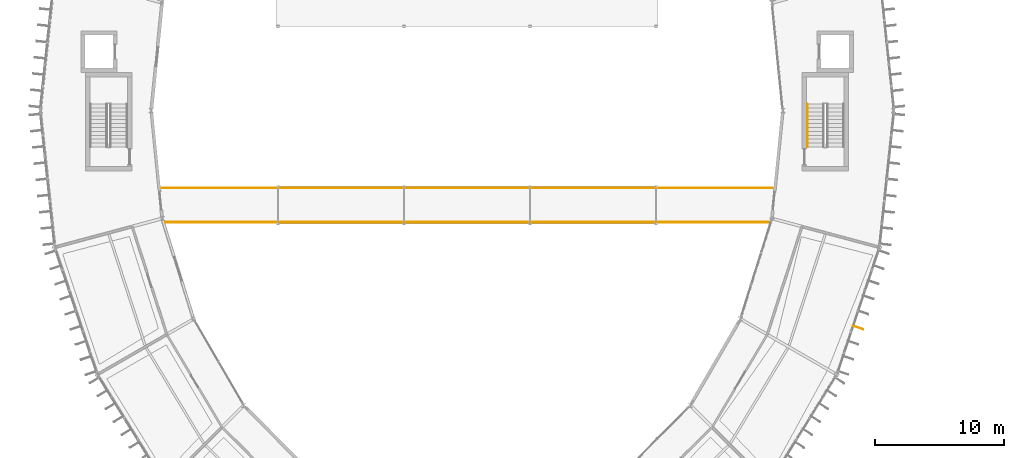
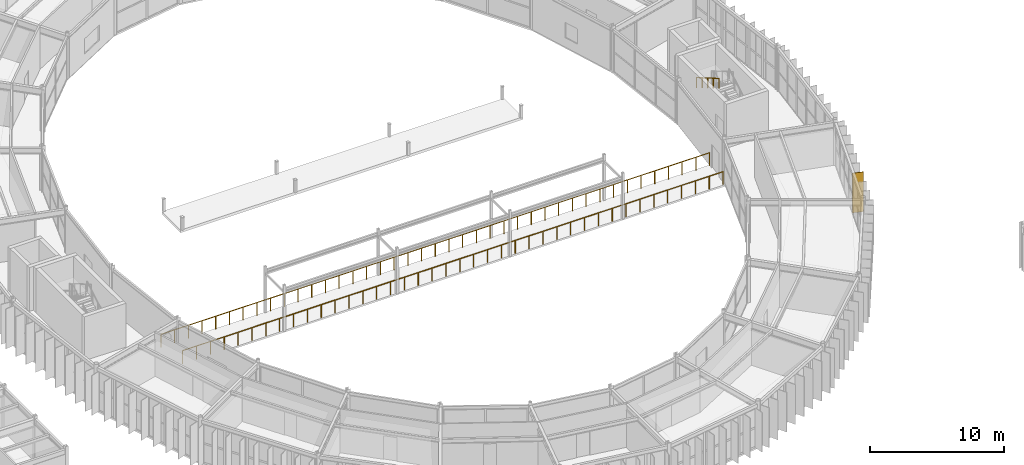
# One storey, part 139 of 147: 3 railings, 1 shading device.
"""IFC4 building model written with IfcOpenShell, lengths in metres."""

import ifcopenshell
import ifcopenshell.guid

model = None  # the IFC model being written
_history = None  # IfcOwnerHistory: only IFC2X3 demands one
_inside = {}  # id of a spatial element -> (the spatial element, [elements in it])
_under = {}  # id of a project, library or spatial element -> (it, [spatial elements below it])
_declared = {}  # id of a project -> (the project, [libraries it declares])
_typed = {}  # id of a type object -> (the type object, [elements of that type])
_made_of = {}  # id of a material, layer set ... -> (it, [elements and type objects made of it])


def new_model(schema):
    """Start an empty IFC model of exactly this schema.

    Asked for "IFC4X3", IfcOpenShell would pick the latest addendum, in which some entities
    have other attributes; the version numbers below select the first issue.
    IFC2X3 requires an IfcOwnerHistory on every rooted entity: one is made here for all.
    """
    global model, _history
    if schema == "IFC4X3":
        model = ifcopenshell.file(schema_version=(4, 3, 0, 0))
    else:
        model = ifcopenshell.file(schema=schema)
    _inside.clear()
    _under.clear()
    _declared.clear()
    _typed.clear()
    _made_of.clear()
    _history = None
    if model.schema == "IFC2X3":
        org = make("IfcOrganization", Name="unknown")
        user = make(
            "IfcPersonAndOrganization",
            ThePerson=make("IfcPerson", FamilyName="unknown"),
            TheOrganization=org,
        )
        app = make(
            "IfcApplication",
            ApplicationDeveloper=org,
            Version="unknown",
            ApplicationFullName="unknown",
            ApplicationIdentifier="unknown",
        )
        _history = make(
            "IfcOwnerHistory",
            OwningUser=user,
            OwningApplication=app,
            ChangeAction="ADDED",
            CreationDate=0,
        )
    return model


def make(cls, **values):
    """One entity of the class cls with the attributes given. An attribute that is None is left unset."""
    return model.create_entity(
        cls, **{name: value for name, value in values.items() if value is not None}
    )


def rooted(cls, **values):
    """An entity with a GlobalId (a new one), such as an element, a storey or a relation."""
    return make(cls, GlobalId=ifcopenshell.guid.new(), OwnerHistory=_history, **values)


def si_unit(unit_type, name, prefix=None):
    """IfcSIUnit, for example si_unit("LENGTHUNIT", "METRE", prefix="MILLI")."""
    return make("IfcSIUnit", UnitType=unit_type, Prefix=prefix, Name=name)


def assignment(units):
    """IfcUnitAssignment: the units of a project."""
    return None if units is None else make("IfcUnitAssignment", Units=units)


def point(xyz):
    """IfcCartesianPoint."""
    return None if xyz is None else make("IfcCartesianPoint", Coordinates=xyz)


def direction(xyz):
    """IfcDirection."""
    return None if xyz is None else make("IfcDirection", DirectionRatios=xyz)


def frame(location, z_axis=None, x_axis=None):
    """IfcAxis2Placement3D, a coordinate frame: its origin and axes. An axis left out is left unset."""
    return make(
        "IfcAxis2Placement3D",
        Location=point(location),
        Axis=direction(z_axis),
        RefDirection=direction(x_axis),
    )


def frame_2d(location, x_axis=None):
    """IfcAxis2Placement2D, a coordinate frame in the plane: its origin and x axis."""
    return make(
        "IfcAxis2Placement2D", Location=point(location), RefDirection=direction(x_axis)
    )


def origin():
    """The frame at (0, 0, 0) with its axes left unset."""
    return frame((0.0, 0.0, 0.0))


def origin_2d():
    """The frame at (0, 0) in the plane with its x axis left unset."""
    return frame_2d((0.0, 0.0))


def place(relative_to, where):
    """IfcLocalPlacement: puts the frame where relative to a parent placement (None: the world)."""
    return make(
        "IfcLocalPlacement", PlacementRelTo=relative_to, RelativePlacement=where
    )


def context(
    kind, dimensions, precision=None, world=None, true_north=None, identifier=None
):
    """IfcGeometricRepresentationContext, for example the 3D "Model" context."""
    return make(
        "IfcGeometricRepresentationContext",
        ContextIdentifier=identifier,
        ContextType=kind,
        CoordinateSpaceDimension=dimensions,
        Precision=precision,
        WorldCoordinateSystem=world,
        TrueNorth=true_north,
    )


def subcontext(parent, identifier, kind, view, scale=None):
    """IfcGeometricRepresentationSubContext, for example "Body" below "Model"."""
    return make(
        "IfcGeometricRepresentationSubContext",
        ContextIdentifier=identifier,
        ContextType=kind,
        ParentContext=parent,
        TargetScale=scale,
        TargetView=view,
    )


def project(units=None, contexts=None):
    """IfcProject with its units and contexts."""
    return rooted(
        "IfcProject",
        Name="project",
        RepresentationContexts=contexts,
        UnitsInContext=assignment(units),
    )


def spatial(cls, under=None, at=None, **own):
    """A site, building, storey or space (cls), placed at a placement, below another one or the project."""
    s = rooted(cls, ObjectPlacement=at, **own)
    if under is not None:
        _under.setdefault(under.id(), (under, []))[1].append(s)
    return s


def profile(cls, at=None, kind="AREA", **sizes):
    """A parametric profile (cls). Its sizes go by their IFC names, for example OverallWidth=200.0."""
    return make(cls, ProfileType=kind, Position=at, **sizes)


def rectangle(**sizes):
    """IfcRectangleProfileDef."""
    return profile("IfcRectangleProfileDef", **sizes)


def circle(**sizes):
    """IfcCircleProfileDef."""
    return profile("IfcCircleProfileDef", **sizes)


def extrude(swept, where, along, depth):
    """IfcExtrudedAreaSolid: the profile swept, set in the frame where, extruded along a direction by depth."""
    return make(
        "IfcExtrudedAreaSolid",
        SweptArea=swept,
        Position=where,
        ExtrudedDirection=direction(along),
        Depth=depth,
    )


def shape(context_of_items, identifier, shape_type, items):
    """IfcShapeRepresentation: the items that make up one representation, for example the "Body"."""
    return make(
        "IfcShapeRepresentation",
        ContextOfItems=context_of_items,
        RepresentationIdentifier=identifier,
        RepresentationType=shape_type,
        Items=items,
    )


def material(Name=None, Category=None):
    """IfcMaterial."""
    return make("IfcMaterial", Name=Name, Category=Category)


def layer(
    of_material, thickness, ventilated=None, Name=None, Category=None, Priority=None
):
    """IfcMaterialLayer: one layer of a wall or slab, of a material (None: an air gap)."""
    return make(
        "IfcMaterialLayer",
        Material=of_material,
        LayerThickness=thickness,
        IsVentilated=ventilated,
        Name=Name,
        Category=Category,
        Priority=Priority,
    )


def layer_set(layers, Name=None):
    """IfcMaterialLayerSet."""
    return make("IfcMaterialLayerSet", MaterialLayers=layers, LayerSetName=Name)


def made_of(thing, what):
    """Note that an element or type object is made of a material, layer set ...; save() writes the relation."""
    if what is not None:
        _made_of.setdefault(what.id(), (what, []))[1].append(thing)
    return thing


def type_object(cls, material=None, **own):
    """A type object (cls), such as IfcWallType, which elements share."""
    return made_of(rooted(cls, **own), material)


def element(
    cls,
    number,
    at=None,
    inside=None,
    cuts=None,
    type_object=None,
    material=None,
    context=None,
    identifier="Body",
    shape_type=None,
    held_by="IfcProductDefinitionShape",
    body=None,
    shapes=None,
    **own,
):
    """One element of the class cls, such as IfcWall. Its Tag is "e" and its number.

    at: its placement. inside: the storey or other place that contains it. cuts: it is an
    opening in that element (IfcRelVoidsElement). A single representation is given by context,
    identifier, shape_type and body (its items); several are given by shapes. held_by: the class
    of the entity that holds the representations. save() writes the other relations.
    """
    e = rooted(cls, Tag="e%d" % number, ObjectPlacement=at, **own)
    if body is not None:
        shapes = [shape(context, identifier, shape_type, body)]
    if shapes is not None:
        e.Representation = make(held_by, Representations=shapes)
    if inside is not None:
        _inside.setdefault(inside.id(), (inside, []))[1].append(e)
    if cuts is not None:
        rooted(
            "IfcRelVoidsElement", RelatingBuildingElement=cuts, RelatedOpeningElement=e
        )
    if type_object is not None:
        _typed.setdefault(type_object.id(), (type_object, []))[1].append(e)
    return made_of(e, material)


def aggregate(whole, parts):
    """IfcRelAggregates: a whole, such as a stair, and the parts it consists of."""
    return rooted("IfcRelAggregates", RelatingObject=whole, RelatedObjects=parts)


def save(model, path):
    """Write the relations noted so far, then the file.

    IfcRelAggregates (storeys below a building ...), IfcRelContainedInSpatialStructure (elements
    in a storey), IfcRelDefinesByType, IfcRelAssociatesMaterial and IfcRelDeclares: one each for
    every whole, place, type object, material and project.
    """
    for whole, parts in _under.values():
        aggregate(whole, parts)
    for where, things in _inside.values():
        rooted(
            "IfcRelContainedInSpatialStructure",
            RelatedElements=things,
            RelatingStructure=where,
        )
    for kind, things in _typed.values():
        rooted("IfcRelDefinesByType", RelatedObjects=things, RelatingType=kind)
    for what, things in _made_of.values():
        rooted("IfcRelAssociatesMaterial", RelatedObjects=things, RelatingMaterial=what)
    for by, libraries in _declared.values():
        rooted("IfcRelDeclares", RelatingContext=by, RelatedDefinitions=libraries)
    model.write(path)


model = new_model("IFC4")

# Units and contexts
model_context = context("Model", 3, precision=1e-05, world=origin(), true_north=direction((0.0, 1.0)))
body_context = subcontext(model_context, "Body", "Model", "MODEL_VIEW")
ifc_project = project(units=[si_unit("LENGTHUNIT", "METRE"), si_unit("AREAUNIT", "SQUARE_METRE"), si_unit("VOLUMEUNIT", "CUBIC_METRE"), si_unit("PLANEANGLEUNIT", "RADIAN"), si_unit("MASSUNIT", "GRAM", prefix="KILO")], contexts=[model_context])

# Site, building, storey
site_placement = place(None, origin())
site = spatial("IfcSite", under=ifc_project, at=site_placement, CompositionType="ELEMENT")
building_placement = place(site_placement, origin())
building = spatial("IfcBuilding", under=site, at=building_placement, Name="Karori Crest Natural Sciences Institute", CompositionType="ELEMENT")
storey_placement = place(building_placement, frame((0.0, 0.0, 9.10009765625)))
storey = spatial("IfcBuildingStorey", under=building, at=storey_placement, Name="L02", CompositionType="ELEMENT", Elevation=9.10009765625)

# Railings
ifc_material_1 = material(Name="Stainless steel 316 balustrade", Category="steel")
railing_type_1 = type_object("IfcRailingType", Name="RLT-GRD", PredefinedType="GUARDRAIL", material=ifc_material_1)
railing_1_placement = place(storey_placement, frame((43.086181640625, 41.280029296875, 0.0)))
element("IfcRailing", 1, at=railing_1_placement, inside=storey, type_object=railing_type_1, Name="Courtyard bridge south guard GR-0003", PredefinedType="GUARDRAIL", context=body_context, shape_type="SweptSolid", body=[
    extrude(circle(Radius=0.02392578125, at=origin_2d()), frame((0.0, 0.0, 1.17578125), z_axis=(1.0, 0.0, 0.0), x_axis=(0.0, 1.0, 0.0)), (0.0, 0.0, 1.0), 46.62744140625),
    extrude(circle(Radius=0.02099609375, at=origin_2d()), origin(), (0.0, 0.0, 1.0), 1.15185546875),
    extrude(circle(Radius=0.02099609375, at=origin_2d()), frame((1.195556640625, 0.0, 0.0)), (0.0, 0.0, 1.0), 1.15185546875),
    extrude(circle(Radius=0.02099609375, at=origin_2d()), frame((2.39111328125, 0.0, 0.0)), (0.0, 0.0, 1.0), 1.15185546875),
    extrude(circle(Radius=0.02099609375, at=origin_2d()), frame((3.586669921875, 0.0, 0.0)), (0.0, 0.0, 1.0), 1.15185546875),
    extrude(circle(Radius=0.02099609375, at=origin_2d()), frame((4.7822265625, 0.0, 0.0)), (0.0, 0.0, 1.0), 1.15185546875),
    extrude(circle(Radius=0.02099609375, at=origin_2d()), frame((5.977783203125, 0.0, 0.0)), (0.0, 0.0, 1.0), 1.15185546875),
    extrude(circle(Radius=0.02099609375, at=origin_2d()), frame((7.17333984375, 0.0, 0.0)), (0.0, 0.0, 1.0), 1.15185546875),
    extrude(circle(Radius=0.02099609375, at=origin_2d()), frame((8.369140625, 0.0, 0.0)), (0.0, 0.0, 1.0), 1.15185546875),
    extrude(circle(Radius=0.02099609375, at=origin_2d()), frame((9.564697265625, 0.0, 0.0)), (0.0, 0.0, 1.0), 1.15185546875),
    extrude(circle(Radius=0.02099609375, at=origin_2d()), frame((10.76025390625, 0.0, 0.0)), (0.0, 0.0, 1.0), 1.15185546875),
    extrude(circle(Radius=0.02099609375, at=origin_2d()), frame((11.955810546875, 0.0, 0.0)), (0.0, 0.0, 1.0), 1.15185546875),
    extrude(circle(Radius=0.02099609375, at=origin_2d()), frame((13.1513671875, 0.0, 0.0)), (0.0, 0.0, 1.0), 1.15185546875),
    extrude(circle(Radius=0.02099609375, at=origin_2d()), frame((14.346923828125, 0.0, 0.0)), (0.0, 0.0, 1.0), 1.15185546875),
    extrude(circle(Radius=0.02099609375, at=origin_2d()), frame((15.54248046875, 0.0, 0.0)), (0.0, 0.0, 1.0), 1.15185546875),
    extrude(circle(Radius=0.02099609375, at=origin_2d()), frame((16.738037109375, 0.0, 0.0)), (0.0, 0.0, 1.0), 1.15185546875),
    extrude(circle(Radius=0.02099609375, at=origin_2d()), frame((17.93359375, 0.0, 0.0)), (0.0, 0.0, 1.0), 1.15185546875),
    extrude(circle(Radius=0.02099609375, at=origin_2d()), frame((19.129150390625, 0.0, 0.0)), (0.0, 0.0, 1.0), 1.15185546875),
    extrude(circle(Radius=0.02099609375, at=origin_2d()), frame((20.32470703125, 0.0, 0.0)), (0.0, 0.0, 1.0), 1.15185546875),
    extrude(circle(Radius=0.02099609375, at=origin_2d()), frame((21.520263671875, 0.0, 0.0)), (0.0, 0.0, 1.0), 1.15185546875),
    extrude(circle(Radius=0.02099609375, at=origin_2d()), frame((22.7158203125, 0.0, 0.0)), (0.0, 0.0, 1.0), 1.15185546875),
    extrude(circle(Radius=0.02099609375, at=origin_2d()), frame((23.91162109375, 0.0, 0.0)), (0.0, 0.0, 1.0), 1.15185546875),
    extrude(circle(Radius=0.02099609375, at=origin_2d()), frame((25.107177734375, 0.0, 0.0)), (0.0, 0.0, 1.0), 1.15185546875),
    extrude(circle(Radius=0.02099609375, at=origin_2d()), frame((26.302734375, 0.0, 0.0)), (0.0, 0.0, 1.0), 1.15185546875),
    extrude(circle(Radius=0.02099609375, at=origin_2d()), frame((27.498291015625, 0.0, 0.0)), (0.0, 0.0, 1.0), 1.15185546875),
    extrude(circle(Radius=0.02099609375, at=origin_2d()), frame((28.69384765625, 0.0, 0.0)), (0.0, 0.0, 1.0), 1.15185546875),
    extrude(circle(Radius=0.02099609375, at=origin_2d()), frame((29.889404296875, 0.0, 0.0)), (0.0, 0.0, 1.0), 1.15185546875),
    extrude(circle(Radius=0.02099609375, at=origin_2d()), frame((31.0849609375, 0.0, 0.0)), (0.0, 0.0, 1.0), 1.15185546875),
    extrude(circle(Radius=0.02099609375, at=origin_2d()), frame((32.280517578125, 0.0, 0.0)), (0.0, 0.0, 1.0), 1.15185546875),
    extrude(circle(Radius=0.02099609375, at=origin_2d()), frame((33.47607421875, 0.0, 0.0)), (0.0, 0.0, 1.0), 1.15185546875),
    extrude(circle(Radius=0.02099609375, at=origin_2d()), frame((34.671630859375, 0.0, 0.0)), (0.0, 0.0, 1.0), 1.15185546875),
    extrude(circle(Radius=0.02099609375, at=origin_2d()), frame((35.8671875, 0.0, 0.0)), (0.0, 0.0, 1.0), 1.15185546875),
    extrude(circle(Radius=0.02099609375, at=origin_2d()), frame((37.062744140625, 0.0, 0.0)), (0.0, 0.0, 1.0), 1.15185546875),
    extrude(circle(Radius=0.02099609375, at=origin_2d()), frame((38.25830078125, 0.0, 0.0)), (0.0, 0.0, 1.0), 1.15185546875),
    extrude(circle(Radius=0.02099609375, at=origin_2d()), frame((39.4541015625, 0.0, 0.0)), (0.0, 0.0, 1.0), 1.15185546875),
    extrude(circle(Radius=0.02099609375, at=origin_2d()), frame((40.649658203125, 0.0, 0.0)), (0.0, 0.0, 1.0), 1.15185546875),
    extrude(circle(Radius=0.02099609375, at=origin_2d()), frame((41.84521484375, 0.0, 0.0)), (0.0, 0.0, 1.0), 1.15185546875),
    extrude(circle(Radius=0.02099609375, at=origin_2d()), frame((43.040771484375, 0.0, 0.0)), (0.0, 0.0, 1.0), 1.15185546875),
    extrude(circle(Radius=0.02099609375, at=origin_2d()), frame((44.236328125, 0.0, 0.0)), (0.0, 0.0, 1.0), 1.15185546875),
    extrude(circle(Radius=0.02099609375, at=origin_2d()), frame((45.431884765625, 0.0, 0.0)), (0.0, 0.0, 1.0), 1.15185546875),
    extrude(circle(Radius=0.02099609375, at=origin_2d()), frame((46.62744140625, 0.0, 0.0)), (0.0, 0.0, 1.0), 1.15185546875),
])
railing_2_placement = place(storey_placement, frame((42.728515625, 43.919921875, 0.0)))
element("IfcRailing", 2, at=railing_2_placement, inside=storey, type_object=railing_type_1, Name="Courtyard bridge north guard GR-0004", PredefinedType="GUARDRAIL", context=body_context, shape_type="SweptSolid", body=[
    extrude(circle(Radius=0.02392578125, at=origin_2d()), frame((0.0, 0.0, 1.17578125), z_axis=(1.0, 0.0, 0.0), x_axis=(0.0, 1.0, 0.0)), (0.0, 0.0, 1.0), 47.3427734375),
    extrude(circle(Radius=0.02099609375, at=origin_2d()), origin(), (0.0, 0.0, 1.0), 1.15185546875),
    extrude(circle(Radius=0.02099609375, at=origin_2d()), frame((1.18359375, 0.0, 0.0)), (0.0, 0.0, 1.0), 1.15185546875),
    extrude(circle(Radius=0.02099609375, at=origin_2d()), frame((2.3671875, 0.0, 0.0)), (0.0, 0.0, 1.0), 1.15185546875),
    extrude(circle(Radius=0.02099609375, at=origin_2d()), frame((3.55078125, 0.0, 0.0)), (0.0, 0.0, 1.0), 1.15185546875),
    extrude(circle(Radius=0.02099609375, at=origin_2d()), frame((4.734375, 0.0, 0.0)), (0.0, 0.0, 1.0), 1.15185546875),
    extrude(circle(Radius=0.02099609375, at=origin_2d()), frame((5.91796875, 0.0, 0.0)), (0.0, 0.0, 1.0), 1.15185546875),
    extrude(circle(Radius=0.02099609375, at=origin_2d()), frame((7.101318359375, 0.0, 0.0)), (0.0, 0.0, 1.0), 1.15185546875),
    extrude(circle(Radius=0.02099609375, at=origin_2d()), frame((8.284912109375, 0.0, 0.0)), (0.0, 0.0, 1.0), 1.15185546875),
    extrude(circle(Radius=0.02099609375, at=origin_2d()), frame((9.468505859375, 0.0, 0.0)), (0.0, 0.0, 1.0), 1.15185546875),
    extrude(circle(Radius=0.02099609375, at=origin_2d()), frame((10.652099609375, 0.0, 0.0)), (0.0, 0.0, 1.0), 1.15185546875),
    extrude(circle(Radius=0.02099609375, at=origin_2d()), frame((11.835693359375, 0.0, 0.0)), (0.0, 0.0, 1.0), 1.15185546875),
    extrude(circle(Radius=0.02099609375, at=origin_2d()), frame((13.019287109375, 0.0, 0.0)), (0.0, 0.0, 1.0), 1.15185546875),
    extrude(circle(Radius=0.02099609375, at=origin_2d()), frame((14.202880859375, 0.0, 0.0)), (0.0, 0.0, 1.0), 1.15185546875),
    extrude(circle(Radius=0.02099609375, at=origin_2d()), frame((15.386474609375, 0.0, 0.0)), (0.0, 0.0, 1.0), 1.15185546875),
    extrude(circle(Radius=0.02099609375, at=origin_2d()), frame((16.570068359375, 0.0, 0.0)), (0.0, 0.0, 1.0), 1.15185546875),
    extrude(circle(Radius=0.02099609375, at=origin_2d()), frame((17.75341796875, 0.0, 0.0)), (0.0, 0.0, 1.0), 1.15185546875),
    extrude(circle(Radius=0.02099609375, at=origin_2d()), frame((18.93701171875, 0.0, 0.0)), (0.0, 0.0, 1.0), 1.15185546875),
    extrude(circle(Radius=0.02099609375, at=origin_2d()), frame((20.12060546875, 0.0, 0.0)), (0.0, 0.0, 1.0), 1.15185546875),
    extrude(circle(Radius=0.02099609375, at=origin_2d()), frame((21.30419921875, 0.0, 0.0)), (0.0, 0.0, 1.0), 1.15185546875),
    extrude(circle(Radius=0.02099609375, at=origin_2d()), frame((22.48779296875, 0.0, 0.0)), (0.0, 0.0, 1.0), 1.15185546875),
    extrude(circle(Radius=0.02099609375, at=origin_2d()), frame((23.67138671875, 0.0, 0.0)), (0.0, 0.0, 1.0), 1.15185546875),
    extrude(circle(Radius=0.02099609375, at=origin_2d()), frame((24.85498046875, 0.0, 0.0)), (0.0, 0.0, 1.0), 1.15185546875),
    extrude(circle(Radius=0.02099609375, at=origin_2d()), frame((26.03857421875, 0.0, 0.0)), (0.0, 0.0, 1.0), 1.15185546875),
    extrude(circle(Radius=0.02099609375, at=origin_2d()), frame((27.22216796875, 0.0, 0.0)), (0.0, 0.0, 1.0), 1.15185546875),
    extrude(circle(Radius=0.02099609375, at=origin_2d()), frame((28.40576171875, 0.0, 0.0)), (0.0, 0.0, 1.0), 1.15185546875),
    extrude(circle(Radius=0.02099609375, at=origin_2d()), frame((29.58935546875, 0.0, 0.0)), (0.0, 0.0, 1.0), 1.15185546875),
    extrude(circle(Radius=0.02099609375, at=origin_2d()), frame((30.772705078125, 0.0, 0.0)), (0.0, 0.0, 1.0), 1.15185546875),
    extrude(circle(Radius=0.02099609375, at=origin_2d()), frame((31.956298828125, 0.0, 0.0)), (0.0, 0.0, 1.0), 1.15185546875),
    extrude(circle(Radius=0.02099609375, at=origin_2d()), frame((33.139892578125, 0.0, 0.0)), (0.0, 0.0, 1.0), 1.15185546875),
    extrude(circle(Radius=0.02099609375, at=origin_2d()), frame((34.323486328125, 0.0, 0.0)), (0.0, 0.0, 1.0), 1.15185546875),
    extrude(circle(Radius=0.02099609375, at=origin_2d()), frame((35.507080078125, 0.0, 0.0)), (0.0, 0.0, 1.0), 1.15185546875),
    extrude(circle(Radius=0.02099609375, at=origin_2d()), frame((36.690673828125, 0.0, 0.0)), (0.0, 0.0, 1.0), 1.15185546875),
    extrude(circle(Radius=0.02099609375, at=origin_2d()), frame((37.874267578125, 0.0, 0.0)), (0.0, 0.0, 1.0), 1.15185546875),
    extrude(circle(Radius=0.02099609375, at=origin_2d()), frame((39.057861328125, 0.0, 0.0)), (0.0, 0.0, 1.0), 1.15185546875),
    extrude(circle(Radius=0.02099609375, at=origin_2d()), frame((40.241455078125, 0.0, 0.0)), (0.0, 0.0, 1.0), 1.15185546875),
    extrude(circle(Radius=0.02099609375, at=origin_2d()), frame((41.4248046875, 0.0, 0.0)), (0.0, 0.0, 1.0), 1.15185546875),
    extrude(circle(Radius=0.02099609375, at=origin_2d()), frame((42.6083984375, 0.0, 0.0)), (0.0, 0.0, 1.0), 1.15185546875),
    extrude(circle(Radius=0.02099609375, at=origin_2d()), frame((43.7919921875, 0.0, 0.0)), (0.0, 0.0, 1.0), 1.15185546875),
    extrude(circle(Radius=0.02099609375, at=origin_2d()), frame((44.9755859375, 0.0, 0.0)), (0.0, 0.0, 1.0), 1.15185546875),
    extrude(circle(Radius=0.02099609375, at=origin_2d()), frame((46.1591796875, 0.0, 0.0)), (0.0, 0.0, 1.0), 1.15185546875),
    extrude(circle(Radius=0.02099609375, at=origin_2d()), frame((47.3427734375, 0.0, 0.0)), (0.0, 0.0, 1.0), 1.15185546875),
])
ifc_material_2 = material(Name="Stainless steel 316 tubular handrail", Category="steel")
railing_type_2 = type_object("IfcRailingType", Name="RLT-HND", PredefinedType="HANDRAIL", material=ifc_material_2)
railing_3_placement = place(storey_placement, frame((92.699951171875, 50.39990234375, 2.27490234375)))
element("IfcRailing", 3, at=railing_3_placement, inside=storey, type_object=railing_type_2, Name="Stair handrail RL-0024", PredefinedType="HANDRAIL", context=body_context, shape_type="SweptSolid", body=[
    extrude(circle(Radius=0.02392578125, at=origin_2d()), frame((0.0, 0.0, 0.90087890625), z_axis=(0.0, -0.863760357493, 0.503902812876), x_axis=(1.0, 0.0, 0.0)), (0.0, 0.0, 1.0), 3.8203125),
    extrude(circle(Radius=0.02099609375, at=origin_2d()), origin(), (0.0, 0.0, 1.0), 0.876953125),
    extrude(circle(Radius=0.02099609375, at=origin_2d()), frame((0.0, -0.824951171875, 0.481201171875)), (0.0, 0.0, 1.0), 0.876953125),
    extrude(circle(Radius=0.02099609375, at=origin_2d()), frame((0.0, -1.64990234375, 0.96240234375)), (0.0, 0.0, 1.0), 0.876953125),
    extrude(circle(Radius=0.02099609375, at=origin_2d()), frame((0.0, -2.474853515625, 1.44384765625)), (0.0, 0.0, 1.0), 0.876953125),
    extrude(circle(Radius=0.02099609375, at=origin_2d()), frame((0.0, -3.2998046875, 1.925048828125)), (0.0, 0.0, 1.0), 0.876953125),
])

# Shading device
ifc_material_3 = material(Name="Anodised architectural aluminium 6063-T6", Category="aluminium")
ifc_layer = layer(ifc_material_3, 0.044921875, Name="Anodised architectural aluminium 6063-T6")
ifc_layer_set = layer_set([ifc_layer], Name="Anodised architectural aluminium 6063-T6")
shading_device_type = type_object("IfcShadingDeviceType", Name="SDT-FIN", PredefinedType="USERDEFINED", material=ifc_layer_set)
shading_device_placement = place(storey_placement, frame((96.627685546875, 33.130859375, 0.0), z_axis=(0.0, 0.0, 1.0), x_axis=(0.948196204549, -0.317685312343, 0.0)))
element("IfcShadingDevice", 4, at=shading_device_placement, inside=storey, type_object=shading_device_type, Name="Vertical solar fin FN-0396", ObjectType="SOLAR_FIN", PredefinedType="USERDEFINED", context=body_context, shape_type="SweptSolid", body=[
    extrude(rectangle(XDim=0.85009765625, YDim=0.044921875, at=origin_2d()), origin(), (0.0, 0.0, 1.0), 3.625),
])

save(model, "model.ifc")
